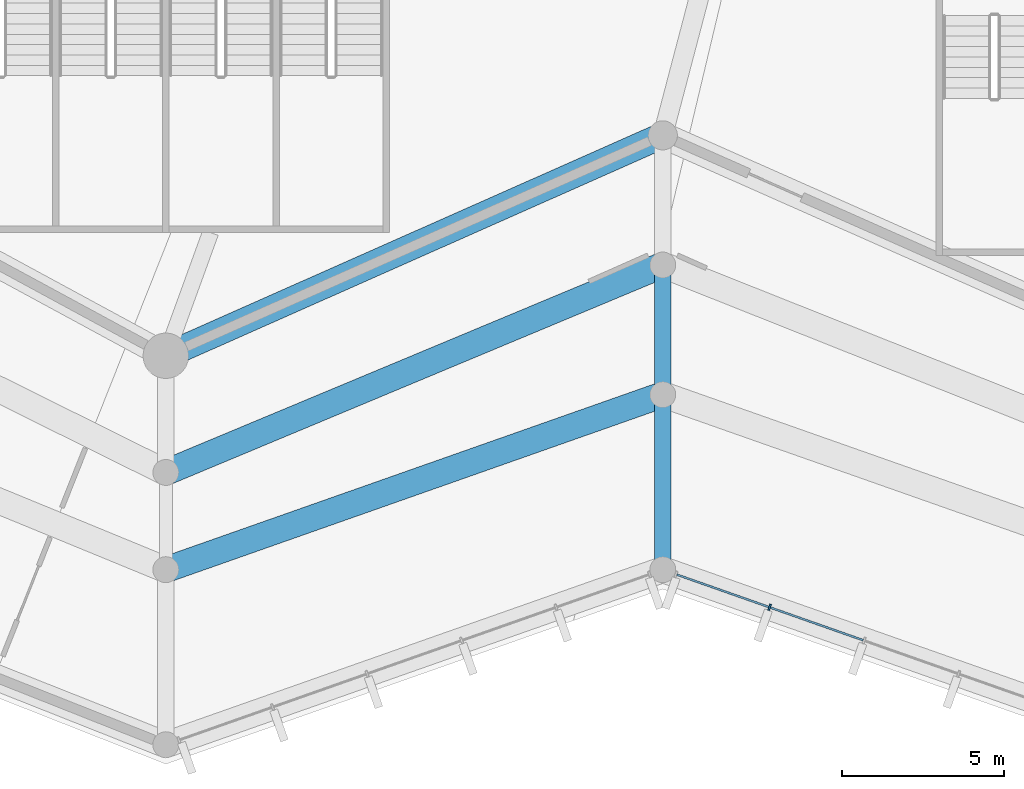
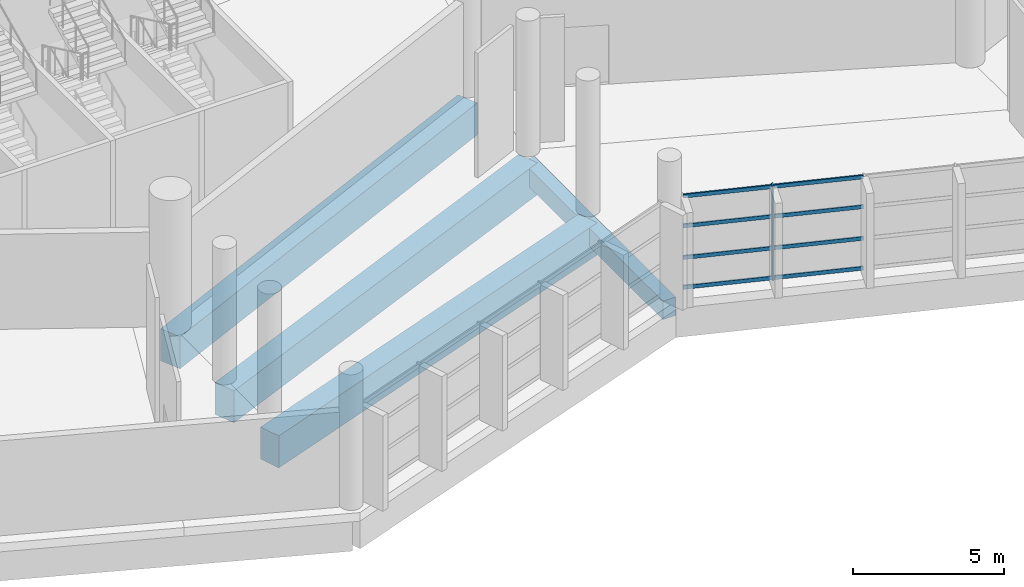
# One storey, part 19 of 271: 9 members, 5 beams, 1 element without a shape of its own.
"""IFC4 building model written with IfcOpenShell, lengths in metres."""

from ifc_helpers import new_model, si_unit, direction, frame, origin, origin_2d, place, context, subcontext, project, spatial, rectangle, extrude, material, layer, layer_set, material_profile, profile_set, type_object, element, aggregate, save


model = new_model("IFC4")

# Units and contexts
model_context = context("Model", 3, precision=1e-05, world=origin(), true_north=direction((0.0, 1.0)))
body_context = subcontext(model_context, "Body", "Model", "MODEL_VIEW")
ifc_project = project(units=[si_unit("LENGTHUNIT", "METRE"), si_unit("AREAUNIT", "SQUARE_METRE"), si_unit("VOLUMEUNIT", "CUBIC_METRE"), si_unit("PLANEANGLEUNIT", "RADIAN"), si_unit("MASSUNIT", "GRAM", prefix="KILO")], contexts=[model_context])

# Site, building, storey
site_placement = place(None, origin())
site = spatial("IfcSite", under=ifc_project, at=site_placement, CompositionType="ELEMENT")
building_placement = place(site_placement, origin())
building = spatial("IfcBuilding", under=site, at=building_placement, Name="Meseta Stadium", CompositionType="ELEMENT")
storey_placement = place(building_placement, frame((0.0, 0.0, 6.5)))
storey = spatial("IfcBuildingStorey", under=building, at=storey_placement, Name="L01", CompositionType="ELEMENT", Elevation=6.5)

# Beams
ifc_material_1 = material(Name="Concrete C40/50", Category="concrete")
ifc_material_profile_1 = material_profile(ifc_material_1, rectangle(XDim=0.5, YDim=0.75, at=origin_2d()), Name="RC 500x750")
ifc_profile_set_1 = profile_set([ifc_material_profile_1], Name="Concrete C40/50")
beam_type_1 = type_object("IfcBeamType", Name="RC beam 500x750", PredefinedType="BEAM", material=ifc_profile_set_1)
beam_1_placement = place(storey_placement, frame((-23.0, -102.60009765625, -0.72509765625), z_axis=(0.0, -1.0, 0.0), x_axis=(1.0, 0.0, 0.0)))
element("IfcBeam", 1, at=beam_1_placement, inside=storey, type_object=beam_type_1, Name="L01 radial beam frame 45 line M to Q", PredefinedType="BEAM", context=body_context, shape_type="SweptSolid", body=[
    extrude(rectangle(XDim=0.5, YDim=0.75, at=origin_2d()), origin(), (0.0, 0.0, 1.0), 4.0),
])
beam_2_placement = place(storey_placement, frame((-23.0, -106.60009765625, -0.72509765625), z_axis=(0.0, -1.0, 0.0), x_axis=(1.0, 0.0, 0.0)))
element("IfcBeam", 2, at=beam_2_placement, inside=storey, type_object=beam_type_1, Name="L01 radial beam frame 45 line Q to O", PredefinedType="BEAM", context=body_context, shape_type="SweptSolid", body=[
    extrude(rectangle(XDim=0.5, YDim=0.75, at=origin_2d()), origin(), (0.0, 0.0, 1.0), 5.39990234375),
])
ifc_material_2 = material(Name="Concrete C40/50", Category="concrete")
ifc_material_profile_2 = material_profile(ifc_material_2, rectangle(XDim=0.800048828125, YDim=1.300048828125, at=origin_2d()), Name="RC 800x1300")
ifc_profile_set_2 = profile_set([ifc_material_profile_2], Name="Concrete C40/50")
beam_type_2 = type_object("IfcBeamType", Name="RC beam 800x1300", PredefinedType="BEAM", material=ifc_profile_set_2)
beam_3_placement = place(storey_placement, frame((-38.333251953125, -105.39990234375, -1.0), z_axis=(0.914142564088, 0.405392861953, 0.0), x_axis=(-0.405392861953, 0.914142564088, 0.0)))
element("IfcBeam", 3, at=beam_3_placement, inside=storey, type_object=beam_type_2, Name="L01 ring beam frame 44 line R", PredefinedType="BEAM", context=body_context, shape_type="SweptSolid", body=[
    extrude(rectangle(XDim=0.800048828125, YDim=1.300048828125, at=origin_2d()), origin(), (0.0, 0.0, 1.0), 16.7734375),
])
beam_4_placement = place(storey_placement, frame((-38.333251953125, -109.0, -1.0), z_axis=(0.922840692895, 0.385181847362, 0.0), x_axis=(-0.385181847362, 0.922840692895, 0.0)))
element("IfcBeam", 4, at=beam_4_placement, inside=storey, type_object=beam_type_2, Name="L01 ring beam frame 44 line M", PredefinedType="BEAM", context=body_context, shape_type="SweptSolid", body=[
    extrude(rectangle(XDim=0.800048828125, YDim=1.300048828125, at=origin_2d()), origin(), (0.0, 0.0, 1.0), 16.615234375),
])
beam_5_placement = place(storey_placement, frame((-38.333251953125, -112.0, -1.0), z_axis=(0.943218573019, 0.332172731439, 0.0), x_axis=(-0.332172731439, 0.943218573019, 0.0)))
element("IfcBeam", 5, at=beam_5_placement, inside=storey, type_object=beam_type_2, Name="L01 ring beam frame 44 line Q", PredefinedType="BEAM", context=body_context, shape_type="SweptSolid", body=[
    extrude(rectangle(XDim=0.800048828125, YDim=1.300048828125, at=origin_2d()), origin(), (0.0, 0.0, 1.0), 16.25634765625),
])

# Curtain wall, members
ifc_material_3 = material(Name="Aluminium", Category="aluminium")
ifc_layer = layer(ifc_material_3, 0.199951171875)
ifc_layer_set = layer_set([ifc_layer], Name="Ring shopfront curtain wall")
curtain_wall_type = type_object("IfcCurtainWallType", Name="Ring shopfront curtain wall", PredefinedType="NOTDEFINED", material=ifc_layer_set)
curtain_wall_placement = place(storey_placement, origin())
curtain_wall = element("IfcCurtainWall", 6, at=curtain_wall_placement, inside=storey, type_object=curtain_wall_type, Name="Ring glazing L01 F45", PredefinedType="NOTDEFINED")
ifc_material_4 = material(Name="Aluminium", Category="aluminium")
ifc_material_profile_3 = material_profile(ifc_material_4, rectangle(XDim=0.199951171875, YDim=0.06005859375, at=origin_2d()), Name="CW 200x60")
ifc_profile_set_3 = profile_set([ifc_material_profile_3], Name="Aluminium")
member_type_1 = type_object("IfcMemberType", Name="Ring CW mullion 60x200", PredefinedType="MULLION", material=ifc_profile_set_3)
member_1_placement = place(storey_placement, frame((-19.70703125, -113.15966796875, 0.0), z_axis=(0.0, 0.0, 1.0), x_axis=(0.332174330154, 0.943218009999, 0.0)))
member_1 = element("IfcMember", 7, at=member_1_placement, type_object=member_type_1, Name="CWR1 mullion 2", PredefinedType="MULLION", context=body_context, shape_type="SweptSolid", body=[
    extrude(rectangle(XDim=0.199951171875, YDim=0.06005859375, at=origin_2d()), origin(), (0.0, 0.0, 1.0), 3.85009765625),
])
ifc_material_5 = material(Name="Aluminium", Category="aluminium")
ifc_material_profile_4 = material_profile(ifc_material_5, rectangle(XDim=0.06005859375, YDim=0.14990234375, at=origin_2d()), Name="CW 60x150")
ifc_profile_set_4 = profile_set([ifc_material_profile_4], Name="Aluminium")
member_type_2 = type_object("IfcMemberType", Name="Ring CW transom 60x150", PredefinedType="USERDEFINED", material=ifc_profile_set_4)
member_2_placement = place(storey_placement, frame((-22.566162109375, -112.15283203125, 0.074951171875), z_axis=(0.943228878245, -0.332143467863, 0.0), x_axis=(0.332143467863, 0.943228878245, 0.0)))
member_2 = element("IfcMember", 8, at=member_2_placement, type_object=member_type_2, Name="CWR1 transom 1.1", ObjectType="TRANSOM", PredefinedType="USERDEFINED", context=body_context, shape_type="SweptSolid", body=[
    extrude(rectangle(XDim=0.06005859375, YDim=0.14990234375, at=origin_2d()), origin(), (0.0, 0.0, 1.0), 3.001220703125),
])
member_3_placement = place(storey_placement, frame((-22.566162109375, -112.15283203125, 1.283447265625), z_axis=(0.943228878245, -0.332143467863, 0.0), x_axis=(0.332143467863, 0.943228878245, 0.0)))
member_3 = element("IfcMember", 9, at=member_3_placement, type_object=member_type_2, Name="CWR1 transom 1.2", ObjectType="TRANSOM", PredefinedType="USERDEFINED", context=body_context, shape_type="SweptSolid", body=[
    extrude(rectangle(XDim=0.06005859375, YDim=0.14990234375, at=origin_2d()), origin(), (0.0, 0.0, 1.0), 3.001220703125),
])
member_4_placement = place(storey_placement, frame((-22.566162109375, -112.15283203125, 2.566650390625), z_axis=(0.943228878245, -0.332143467863, 0.0), x_axis=(0.332143467863, 0.943228878245, 0.0)))
member_4 = element("IfcMember", 10, at=member_4_placement, type_object=member_type_2, Name="CWR1 transom 1.3", ObjectType="TRANSOM", PredefinedType="USERDEFINED", context=body_context, shape_type="SweptSolid", body=[
    extrude(rectangle(XDim=0.06005859375, YDim=0.14990234375, at=origin_2d()), origin(), (0.0, 0.0, 1.0), 3.001220703125),
])
member_5_placement = place(storey_placement, frame((-22.566162109375, -112.15283203125, 3.77490234375), z_axis=(0.943228878245, -0.332143467863, 0.0), x_axis=(0.332143467863, 0.943228878245, 0.0)))
member_5 = element("IfcMember", 11, at=member_5_placement, type_object=member_type_2, Name="CWR1 transom 1.4", ObjectType="TRANSOM", PredefinedType="USERDEFINED", context=body_context, shape_type="SweptSolid", body=[
    extrude(rectangle(XDim=0.06005859375, YDim=0.14990234375, at=origin_2d()), origin(), (0.0, 0.0, 1.0), 3.001220703125),
])
member_6_placement = place(storey_placement, frame((-19.6787109375, -113.169677734375, 0.074951171875), z_axis=(0.943225032885, -0.332154387808, 0.0), x_axis=(0.332154387808, 0.943225032885, 0.0)))
member_6 = element("IfcMember", 12, at=member_6_placement, type_object=member_type_2, Name="CWR1 transom 2.1", ObjectType="TRANSOM", PredefinedType="USERDEFINED", context=body_context, shape_type="SweptSolid", body=[
    extrude(rectangle(XDim=0.06005859375, YDim=0.14990234375, at=origin_2d()), origin(), (0.0, 0.0, 1.0), 3.03125),
])
member_7_placement = place(storey_placement, frame((-19.6787109375, -113.169677734375, 1.283447265625), z_axis=(0.943225032885, -0.332154387808, 0.0), x_axis=(0.332154387808, 0.943225032885, 0.0)))
member_7 = element("IfcMember", 13, at=member_7_placement, type_object=member_type_2, Name="CWR1 transom 2.2", ObjectType="TRANSOM", PredefinedType="USERDEFINED", context=body_context, shape_type="SweptSolid", body=[
    extrude(rectangle(XDim=0.06005859375, YDim=0.14990234375, at=origin_2d()), origin(), (0.0, 0.0, 1.0), 3.03125),
])
member_8_placement = place(storey_placement, frame((-19.6787109375, -113.169677734375, 2.566650390625), z_axis=(0.943225032885, -0.332154387808, 0.0), x_axis=(0.332154387808, 0.943225032885, 0.0)))
member_8 = element("IfcMember", 14, at=member_8_placement, type_object=member_type_2, Name="CWR1 transom 2.3", ObjectType="TRANSOM", PredefinedType="USERDEFINED", context=body_context, shape_type="SweptSolid", body=[
    extrude(rectangle(XDim=0.06005859375, YDim=0.14990234375, at=origin_2d()), origin(), (0.0, 0.0, 1.0), 3.03125),
])
member_9_placement = place(storey_placement, frame((-19.6787109375, -113.169677734375, 3.77490234375), z_axis=(0.943225032885, -0.332154387808, 0.0), x_axis=(0.332154387808, 0.943225032885, 0.0)))
member_9 = element("IfcMember", 15, at=member_9_placement, type_object=member_type_2, Name="CWR1 transom 2.4", ObjectType="TRANSOM", PredefinedType="USERDEFINED", context=body_context, shape_type="SweptSolid", body=[
    extrude(rectangle(XDim=0.06005859375, YDim=0.14990234375, at=origin_2d()), origin(), (0.0, 0.0, 1.0), 3.03125),
])
aggregate(curtain_wall, [member_1, member_2, member_3, member_4, member_5, member_6, member_7, member_8, member_9])

save(model, "model.ifc")
